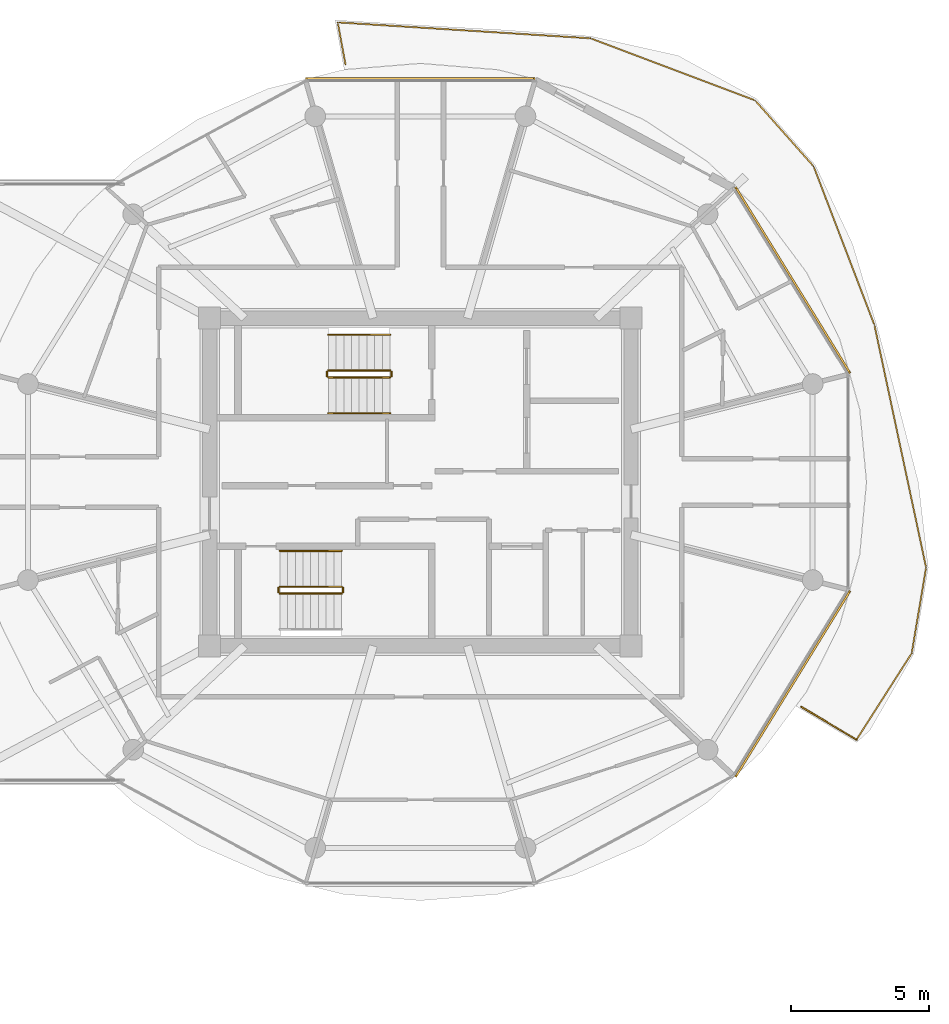
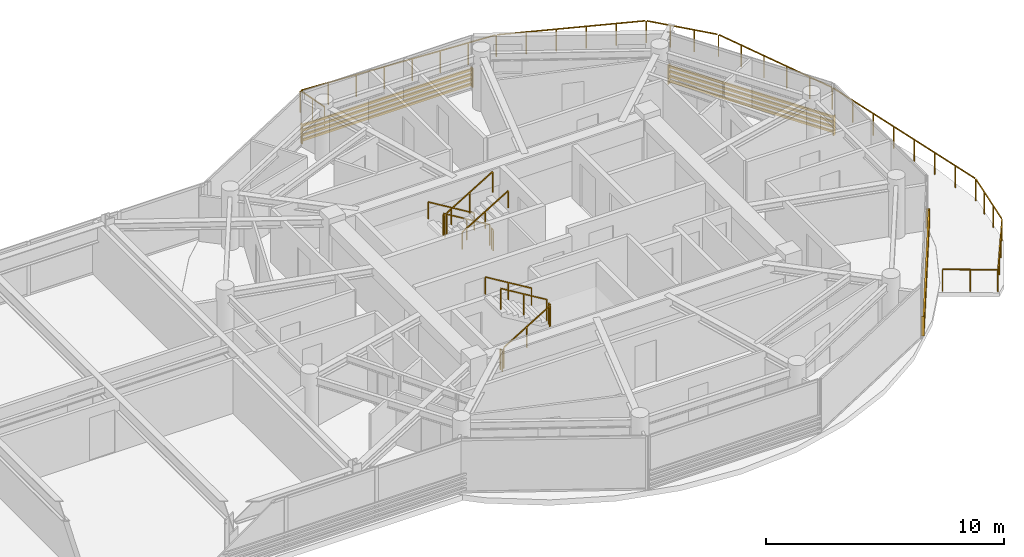
# One storey, part 23 of 23: 13 railings, 3 shading devices.
"""IFC4 building model written with IfcOpenShell, lengths in metres."""

import ifcopenshell
import ifcopenshell.guid

model = None  # the IFC model being written
_history = None  # IfcOwnerHistory: only IFC2X3 demands one
_inside = {}  # id of a spatial element -> (the spatial element, [elements in it])
_under = {}  # id of a project, library or spatial element -> (it, [spatial elements below it])
_declared = {}  # id of a project -> (the project, [libraries it declares])
_typed = {}  # id of a type object -> (the type object, [elements of that type])
_made_of = {}  # id of a material, layer set ... -> (it, [elements and type objects made of it])


def new_model(schema):
    """Start an empty IFC model of exactly this schema.

    Asked for "IFC4X3", IfcOpenShell would pick the latest addendum, in which some entities
    have other attributes; the version numbers below select the first issue.
    IFC2X3 requires an IfcOwnerHistory on every rooted entity: one is made here for all.
    """
    global model, _history
    if schema == "IFC4X3":
        model = ifcopenshell.file(schema_version=(4, 3, 0, 0))
    else:
        model = ifcopenshell.file(schema=schema)
    _inside.clear()
    _under.clear()
    _declared.clear()
    _typed.clear()
    _made_of.clear()
    _history = None
    if model.schema == "IFC2X3":
        org = make("IfcOrganization", Name="unknown")
        user = make(
            "IfcPersonAndOrganization",
            ThePerson=make("IfcPerson", FamilyName="unknown"),
            TheOrganization=org,
        )
        app = make(
            "IfcApplication",
            ApplicationDeveloper=org,
            Version="unknown",
            ApplicationFullName="unknown",
            ApplicationIdentifier="unknown",
        )
        _history = make(
            "IfcOwnerHistory",
            OwningUser=user,
            OwningApplication=app,
            ChangeAction="ADDED",
            CreationDate=0,
        )
    return model


def make(cls, **values):
    """One entity of the class cls with the attributes given. An attribute that is None is left unset."""
    return model.create_entity(
        cls, **{name: value for name, value in values.items() if value is not None}
    )


def rooted(cls, **values):
    """An entity with a GlobalId (a new one), such as an element, a storey or a relation."""
    return make(cls, GlobalId=ifcopenshell.guid.new(), OwnerHistory=_history, **values)


def si_unit(unit_type, name, prefix=None):
    """IfcSIUnit, for example si_unit("LENGTHUNIT", "METRE", prefix="MILLI")."""
    return make("IfcSIUnit", UnitType=unit_type, Prefix=prefix, Name=name)


def assignment(units):
    """IfcUnitAssignment: the units of a project."""
    return None if units is None else make("IfcUnitAssignment", Units=units)


def point(xyz):
    """IfcCartesianPoint."""
    return None if xyz is None else make("IfcCartesianPoint", Coordinates=xyz)


def direction(xyz):
    """IfcDirection."""
    return None if xyz is None else make("IfcDirection", DirectionRatios=xyz)


def frame(location, z_axis=None, x_axis=None):
    """IfcAxis2Placement3D, a coordinate frame: its origin and axes. An axis left out is left unset."""
    return make(
        "IfcAxis2Placement3D",
        Location=point(location),
        Axis=direction(z_axis),
        RefDirection=direction(x_axis),
    )


def frame_2d(location, x_axis=None):
    """IfcAxis2Placement2D, a coordinate frame in the plane: its origin and x axis."""
    return make(
        "IfcAxis2Placement2D", Location=point(location), RefDirection=direction(x_axis)
    )


def origin():
    """The frame at (0, 0, 0) with its axes left unset."""
    return frame((0.0, 0.0, 0.0))


def origin_2d():
    """The frame at (0, 0) in the plane with its x axis left unset."""
    return frame_2d((0.0, 0.0))


def place(relative_to, where):
    """IfcLocalPlacement: puts the frame where relative to a parent placement (None: the world)."""
    return make(
        "IfcLocalPlacement", PlacementRelTo=relative_to, RelativePlacement=where
    )


def context(
    kind, dimensions, precision=None, world=None, true_north=None, identifier=None
):
    """IfcGeometricRepresentationContext, for example the 3D "Model" context."""
    return make(
        "IfcGeometricRepresentationContext",
        ContextIdentifier=identifier,
        ContextType=kind,
        CoordinateSpaceDimension=dimensions,
        Precision=precision,
        WorldCoordinateSystem=world,
        TrueNorth=true_north,
    )


def subcontext(parent, identifier, kind, view, scale=None):
    """IfcGeometricRepresentationSubContext, for example "Body" below "Model"."""
    return make(
        "IfcGeometricRepresentationSubContext",
        ContextIdentifier=identifier,
        ContextType=kind,
        ParentContext=parent,
        TargetScale=scale,
        TargetView=view,
    )


def project(units=None, contexts=None):
    """IfcProject with its units and contexts."""
    return rooted(
        "IfcProject",
        Name="project",
        RepresentationContexts=contexts,
        UnitsInContext=assignment(units),
    )


def spatial(cls, under=None, at=None, **own):
    """A site, building, storey or space (cls), placed at a placement, below another one or the project."""
    s = rooted(cls, ObjectPlacement=at, **own)
    if under is not None:
        _under.setdefault(under.id(), (under, []))[1].append(s)
    return s


def profile(cls, at=None, kind="AREA", **sizes):
    """A parametric profile (cls). Its sizes go by their IFC names, for example OverallWidth=200.0."""
    return make(cls, ProfileType=kind, Position=at, **sizes)


def rectangle(**sizes):
    """IfcRectangleProfileDef."""
    return profile("IfcRectangleProfileDef", **sizes)


def extrude(swept, where, along, depth):
    """IfcExtrudedAreaSolid: the profile swept, set in the frame where, extruded along a direction by depth."""
    return make(
        "IfcExtrudedAreaSolid",
        SweptArea=swept,
        Position=where,
        ExtrudedDirection=direction(along),
        Depth=depth,
    )


def shape(context_of_items, identifier, shape_type, items):
    """IfcShapeRepresentation: the items that make up one representation, for example the "Body"."""
    return make(
        "IfcShapeRepresentation",
        ContextOfItems=context_of_items,
        RepresentationIdentifier=identifier,
        RepresentationType=shape_type,
        Items=items,
    )


def source(mapping_origin, context_of_items, identifier, shape_type, items):
    """IfcRepresentationMap: a shape defined once, which mapped items show again and again."""
    return make(
        "IfcRepresentationMap",
        MappingOrigin=mapping_origin,
        MappedRepresentation=shape(context_of_items, identifier, shape_type, items),
    )


def transform(
    local_origin,
    x_axis=None,
    y_axis=None,
    z_axis=None,
    scale=None,
    scale2=None,
    scale3=None,
    uniform=True,
):
    """IfcCartesianTransformationOperator3D, or its non-uniform kind. x_axis, y_axis, z_axis: its Axis1, 2, 3."""
    if uniform:
        return make(
            "IfcCartesianTransformationOperator3D",
            Axis1=direction(x_axis),
            Axis2=direction(y_axis),
            LocalOrigin=point(local_origin),
            Scale=scale,
            Axis3=direction(z_axis),
        )
    return make(
        "IfcCartesianTransformationOperator3DnonUniform",
        Axis1=direction(x_axis),
        Axis2=direction(y_axis),
        LocalOrigin=point(local_origin),
        Scale=scale,
        Axis3=direction(z_axis),
        Scale2=scale2,
        Scale3=scale3,
    )


def mapped(mapping_source, mapping_target):
    """IfcMappedItem: shows the shape of a source again, moved by a transform."""
    return make(
        "IfcMappedItem", MappingSource=mapping_source, MappingTarget=mapping_target
    )


def material(Name=None, Category=None):
    """IfcMaterial."""
    return make("IfcMaterial", Name=Name, Category=Category)


def made_of(thing, what):
    """Note that an element or type object is made of a material, layer set ...; save() writes the relation."""
    if what is not None:
        _made_of.setdefault(what.id(), (what, []))[1].append(thing)
    return thing


def type_object(cls, material=None, **own):
    """A type object (cls), such as IfcWallType, which elements share."""
    return made_of(rooted(cls, **own), material)


def type_shapes(of_type, sources):
    """Give a type object the sources (RepresentationMaps) that its elements show as mapped items."""
    of_type.RepresentationMaps = sources


def element(
    cls,
    number,
    at=None,
    inside=None,
    cuts=None,
    type_object=None,
    material=None,
    context=None,
    identifier="Body",
    shape_type=None,
    held_by="IfcProductDefinitionShape",
    body=None,
    shapes=None,
    **own,
):
    """One element of the class cls, such as IfcWall. Its Tag is "e" and its number.

    at: its placement. inside: the storey or other place that contains it. cuts: it is an
    opening in that element (IfcRelVoidsElement). A single representation is given by context,
    identifier, shape_type and body (its items); several are given by shapes. held_by: the class
    of the entity that holds the representations. save() writes the other relations.
    """
    e = rooted(cls, Tag="e%d" % number, ObjectPlacement=at, **own)
    if body is not None:
        shapes = [shape(context, identifier, shape_type, body)]
    if shapes is not None:
        e.Representation = make(held_by, Representations=shapes)
    if inside is not None:
        _inside.setdefault(inside.id(), (inside, []))[1].append(e)
    if cuts is not None:
        rooted(
            "IfcRelVoidsElement", RelatingBuildingElement=cuts, RelatedOpeningElement=e
        )
    if type_object is not None:
        _typed.setdefault(type_object.id(), (type_object, []))[1].append(e)
    return made_of(e, material)


def aggregate(whole, parts):
    """IfcRelAggregates: a whole, such as a stair, and the parts it consists of."""
    return rooted("IfcRelAggregates", RelatingObject=whole, RelatedObjects=parts)


def save(model, path):
    """Write the relations noted so far, then the file.

    IfcRelAggregates (storeys below a building ...), IfcRelContainedInSpatialStructure (elements
    in a storey), IfcRelDefinesByType, IfcRelAssociatesMaterial and IfcRelDeclares: one each for
    every whole, place, type object, material and project.
    """
    for whole, parts in _under.values():
        aggregate(whole, parts)
    for where, things in _inside.values():
        rooted(
            "IfcRelContainedInSpatialStructure",
            RelatedElements=things,
            RelatingStructure=where,
        )
    for kind, things in _typed.values():
        rooted("IfcRelDefinesByType", RelatedObjects=things, RelatingType=kind)
    for what, things in _made_of.values():
        rooted("IfcRelAssociatesMaterial", RelatedObjects=things, RelatingMaterial=what)
    for by, libraries in _declared.values():
        rooted("IfcRelDeclares", RelatingContext=by, RelatedDefinitions=libraries)
    model.write(path)


model = new_model("IFC4")

# Units and contexts
model_context = context("Model", 3, precision=1e-05, world=origin(), true_north=direction((0.0, 1.0)))
body_context = subcontext(model_context, "Body", "Model", "MODEL_VIEW")
ifc_project = project(units=[si_unit("LENGTHUNIT", "METRE"), si_unit("AREAUNIT", "SQUARE_METRE"), si_unit("VOLUMEUNIT", "CUBIC_METRE"), si_unit("PLANEANGLEUNIT", "RADIAN"), si_unit("MASSUNIT", "GRAM", prefix="KILO")], contexts=[model_context])

# Site, building, storey
site_placement = place(None, origin())
site = spatial("IfcSite", under=ifc_project, at=site_placement, CompositionType="ELEMENT")
building_placement = place(site_placement, origin())
building = spatial("IfcBuilding", under=site, at=building_placement, Name="Norrkilde Senior Care Towers", CompositionType="ELEMENT")
storey_placement = place(building_placement, frame((0.0, 0.0, 220.0)))
storey = spatial("IfcBuildingStorey", under=building, at=storey_placement, Name="L68", CompositionType="ELEMENT", Elevation=220.0)

# Railings
ifc_material_1 = material(Name="Anodised Aluminium", Category="aluminium")
railing_type_1 = type_object("IfcRailingType", Name="Balcony Swirl Ribbon Guardrail 1150", PredefinedType="GUARDRAIL", material=ifc_material_1)
railing_1_placement = place(storey_placement, frame((43.83740234375, -9.357421875, 0.0)))
element("IfcRailing", 1, at=railing_1_placement, inside=storey, type_object=railing_type_1, Name="L68 Perimeter Safety Guard 01", PredefinedType="GUARDRAIL", context=body_context, shape_type="SweptSolid", body=[
    extrude(rectangle(XDim=0.048095703125, YDim=0.048095703125, at=origin_2d()), frame((0.0, 0.0, 1.1259765625), z_axis=(-0.858728186348, 0.512431363181, 0.0), x_axis=(-0.512431363181, -0.858728186348, 0.0)), (0.0, 0.0, 1.0), 2.33203125),
    extrude(rectangle(XDim=0.0419921875, YDim=0.0419921875, at=origin_2d()), origin(), (0.0, 0.0, 1.0), 1.099853515625),
    extrude(rectangle(XDim=0.0419921875, YDim=0.0419921875, at=origin_2d()), frame((-1.00146484375, 0.59765625, 0.0)), (0.0, 0.0, 1.0), 1.099853515625),
    extrude(rectangle(XDim=0.0419921875, YDim=0.0419921875, at=origin_2d()), frame((-2.002685546875, 1.195068359375, 0.0)), (0.0, 0.0, 1.0), 1.099853515625),
])
railing_2_placement = place(storey_placement, frame((25.28271484375, 15.157470703125, 0.0)))
element("IfcRailing", 2, at=railing_2_placement, inside=storey, type_object=railing_type_1, Name="L68 Perimeter Safety Guard 02", PredefinedType="GUARDRAIL", context=body_context, shape_type="SweptSolid", body=[
    extrude(rectangle(XDim=0.048095703125, YDim=0.048095703125, at=origin_2d()), frame((0.0, 0.0, 1.1259765625), z_axis=(-0.181624283452, 0.983367998086, 0.0), x_axis=(-0.983367998086, -0.181624283452, 0.0)), (0.0, 0.0, 1.0), 1.519775390625),
    extrude(rectangle(XDim=0.048095703125, YDim=0.048095703125, at=origin_2d()), frame((-0.24267578125, 1.531982421875, 1.1259765625), z_axis=(0.998015228376, -0.062973041293, 0.0), x_axis=(0.062973041293, 0.998015228376, 0.0)), (0.0, 0.0, 1.0), 9.1181640625),
    extrude(rectangle(XDim=0.048095703125, YDim=0.048095703125, at=origin_2d()), frame((8.9365234375, 0.94091796875, 1.1259765625), z_axis=(0.93563292805, -0.352974537251, 0.0), x_axis=(0.352974537251, 0.93563292805, 0.0)), (0.0, 0.0, 1.0), 6.304443359375),
    extrude(rectangle(XDim=0.048095703125, YDim=0.048095703125, at=origin_2d()), frame((14.900390625, -1.329345703125, 1.1259765625), z_axis=(0.663360839662, -0.748299670188, 0.0), x_axis=(0.748299670188, 0.663360839662, 0.0)), (0.0, 0.0, 1.0), 3.123046875),
    extrude(rectangle(XDim=0.048095703125, YDim=0.048095703125, at=origin_2d()), frame((17.013916015625, -3.735107421875, 1.1259765625), z_axis=(0.3576876413, -0.933841288047, 0.0), x_axis=(0.933841288047, 0.3576876413, 0.0)), (0.0, 0.0, 1.0), 6.089111328125),
    extrude(rectangle(XDim=0.048095703125, YDim=0.048095703125, at=origin_2d()), frame((19.215087890625, -9.499755859375, 1.1259765625), z_axis=(0.20841570542, -0.978040333388, 0.0), x_axis=(0.978040333388, 0.20841570542, 0.0)), (0.0, 0.0, 1.0), 8.91943359375),
    extrude(rectangle(XDim=0.048095703125, YDim=0.048095703125, at=origin_2d()), frame((21.07568359375, -18.303466796875, 1.1259765625), z_axis=(-0.165427776415, -0.986221907478, 0.0), x_axis=(0.986221907478, -0.165427776415, 0.0)), (0.0, 0.0, 1.0), 3.073486328125),
    extrude(rectangle(XDim=0.048095703125, YDim=0.048095703125, at=origin_2d()), frame((20.53857421875, -21.409423828125, 1.1259765625), z_axis=(-0.538354377783, -0.842718555582, 0.0), x_axis=(0.842718555582, -0.538354377783, 0.0)), (0.0, 0.0, 1.0), 3.68505859375),
    extrude(rectangle(XDim=0.0419921875, YDim=0.0419921875, at=origin_2d()), origin(), (0.0, 0.0, 1.0), 1.099853515625),
    extrude(rectangle(XDim=0.0419921875, YDim=0.0419921875, at=origin_2d()), frame((-0.1416015625, 0.767333984375, 0.0)), (0.0, 0.0, 1.0), 1.099853515625),
    extrude(rectangle(XDim=0.0419921875, YDim=0.0419921875, at=origin_2d()), frame((-0.283447265625, 1.53466796875, 0.0)), (0.0, 0.0, 1.0), 1.099853515625),
    extrude(rectangle(XDim=0.0419921875, YDim=0.0419921875, at=origin_2d()), frame((1.0283203125, 1.451904296875, 0.0)), (0.0, 0.0, 1.0), 1.099853515625),
    extrude(rectangle(XDim=0.0419921875, YDim=0.0419921875, at=origin_2d()), frame((2.33984375, 1.369140625, 0.0)), (0.0, 0.0, 1.0), 1.099853515625),
    extrude(rectangle(XDim=0.0419921875, YDim=0.0419921875, at=origin_2d()), frame((3.651611328125, 1.286376953125, 0.0)), (0.0, 0.0, 1.0), 1.099853515625),
    extrude(rectangle(XDim=0.0419921875, YDim=0.0419921875, at=origin_2d()), frame((4.963134765625, 1.20361328125, 0.0)), (0.0, 0.0, 1.0), 1.099853515625),
    extrude(rectangle(XDim=0.0419921875, YDim=0.0419921875, at=origin_2d()), frame((6.27490234375, 1.120849609375, 0.0)), (0.0, 0.0, 1.0), 1.099853515625),
    extrude(rectangle(XDim=0.0419921875, YDim=0.0419921875, at=origin_2d()), frame((7.58642578125, 1.0380859375, 0.0)), (0.0, 0.0, 1.0), 1.099853515625),
    extrude(rectangle(XDim=0.0419921875, YDim=0.0419921875, at=origin_2d()), frame((8.898193359375, 0.955322265625, 0.0)), (0.0, 0.0, 1.0), 1.099853515625),
    extrude(rectangle(XDim=0.0419921875, YDim=0.0419921875, at=origin_2d()), frame((10.09326171875, 0.50439453125, 0.0)), (0.0, 0.0, 1.0), 1.099853515625),
    extrude(rectangle(XDim=0.0419921875, YDim=0.0419921875, at=origin_2d()), frame((11.288330078125, 0.0537109375, 0.0)), (0.0, 0.0, 1.0), 1.099853515625),
    extrude(rectangle(XDim=0.0419921875, YDim=0.0419921875, at=origin_2d()), frame((12.483154296875, -0.397216796875, 0.0)), (0.0, 0.0, 1.0), 1.099853515625),
    extrude(rectangle(XDim=0.0419921875, YDim=0.0419921875, at=origin_2d()), frame((13.67822265625, -0.847900390625, 0.0)), (0.0, 0.0, 1.0), 1.099853515625),
    extrude(rectangle(XDim=0.0419921875, YDim=0.0419921875, at=origin_2d()), frame((14.873291015625, -1.298828125, 0.0)), (0.0, 0.0, 1.0), 1.099853515625),
    extrude(rectangle(XDim=0.0419921875, YDim=0.0419921875, at=origin_2d()), frame((15.58203125, -2.09814453125, 0.0)), (0.0, 0.0, 1.0), 1.099853515625),
    extrude(rectangle(XDim=0.0419921875, YDim=0.0419921875, at=origin_2d()), frame((16.29052734375, -2.897705078125, 0.0)), (0.0, 0.0, 1.0), 1.099853515625),
    extrude(rectangle(XDim=0.0419921875, YDim=0.0419921875, at=origin_2d()), frame((16.999267578125, -3.697021484375, 0.0)), (0.0, 0.0, 1.0), 1.099853515625),
    extrude(rectangle(XDim=0.0419921875, YDim=0.0419921875, at=origin_2d()), frame((17.440673828125, -4.849609375, 0.0)), (0.0, 0.0, 1.0), 1.099853515625),
    extrude(rectangle(XDim=0.0419921875, YDim=0.0419921875, at=origin_2d()), frame((17.882080078125, -6.002197265625, 0.0)), (0.0, 0.0, 1.0), 1.099853515625),
    extrude(rectangle(XDim=0.0419921875, YDim=0.0419921875, at=origin_2d()), frame((18.32373046875, -7.154541015625, 0.0)), (0.0, 0.0, 1.0), 1.099853515625),
    extrude(rectangle(XDim=0.0419921875, YDim=0.0419921875, at=origin_2d()), frame((18.76513671875, -8.30712890625, 0.0)), (0.0, 0.0, 1.0), 1.099853515625),
    extrude(rectangle(XDim=0.0419921875, YDim=0.0419921875, at=origin_2d()), frame((19.20654296875, -9.459716796875, 0.0)), (0.0, 0.0, 1.0), 1.099853515625),
    extrude(rectangle(XDim=0.0419921875, YDim=0.0419921875, at=origin_2d()), frame((19.474609375, -10.71728515625, 0.0)), (0.0, 0.0, 1.0), 1.099853515625),
    extrude(rectangle(XDim=0.0419921875, YDim=0.0419921875, at=origin_2d()), frame((19.742431640625, -11.97509765625, 0.0)), (0.0, 0.0, 1.0), 1.099853515625),
    extrude(rectangle(XDim=0.0419921875, YDim=0.0419921875, at=origin_2d()), frame((20.010498046875, -13.232666015625, 0.0)), (0.0, 0.0, 1.0), 1.099853515625),
    extrude(rectangle(XDim=0.0419921875, YDim=0.0419921875, at=origin_2d()), frame((20.278564453125, -14.490234375, 0.0)), (0.0, 0.0, 1.0), 1.099853515625),
    extrude(rectangle(XDim=0.0419921875, YDim=0.0419921875, at=origin_2d()), frame((20.546630859375, -15.747802734375, 0.0)), (0.0, 0.0, 1.0), 1.099853515625),
    extrude(rectangle(XDim=0.0419921875, YDim=0.0419921875, at=origin_2d()), frame((20.814453125, -17.005615234375, 0.0)), (0.0, 0.0, 1.0), 1.099853515625),
    extrude(rectangle(XDim=0.0419921875, YDim=0.0419921875, at=origin_2d()), frame((21.08251953125, -18.26318359375, 0.0)), (0.0, 0.0, 1.0), 1.099853515625),
    extrude(rectangle(XDim=0.0419921875, YDim=0.0419921875, at=origin_2d()), frame((20.908447265625, -19.300537109375, 0.0)), (0.0, 0.0, 1.0), 1.099853515625),
    extrude(rectangle(XDim=0.0419921875, YDim=0.0419921875, at=origin_2d()), frame((20.734619140625, -20.337646484375, 0.0)), (0.0, 0.0, 1.0), 1.099853515625),
    extrude(rectangle(XDim=0.0419921875, YDim=0.0419921875, at=origin_2d()), frame((20.560546875, -21.375, 0.0)), (0.0, 0.0, 1.0), 1.099853515625),
    extrude(rectangle(XDim=0.0419921875, YDim=0.0419921875, at=origin_2d()), frame((19.891845703125, -22.421630859375, 0.0)), (0.0, 0.0, 1.0), 1.099853515625),
    extrude(rectangle(XDim=0.0419921875, YDim=0.0419921875, at=origin_2d()), frame((19.223388671875, -23.46826171875, 0.0)), (0.0, 0.0, 1.0), 1.099853515625),
    extrude(rectangle(XDim=0.0419921875, YDim=0.0419921875, at=origin_2d()), frame((18.5546875, -24.514892578125, 0.0)), (0.0, 0.0, 1.0), 1.099853515625),
])
ifc_material_2 = material(Name="Stainless Steel", Category="steel")
railing_type_2 = type_object("IfcRailingType", Name="Stair and Terrace Guardrail 1100", PredefinedType="GUARDRAIL", material=ifc_material_2)
railing_3_placement = place(storey_placement, frame((26.89990234375, 4.050048828125, 0.16943359375)))
element("IfcRailing", 3, at=railing_3_placement, inside=storey, type_object=railing_type_2, Name="L68 ST-E1 stair guard 1", PredefinedType="GUARDRAIL", context=body_context, shape_type="SweptSolid", body=[
    extrude(rectangle(XDim=0.048095703125, YDim=0.048095703125, at=origin_2d()), frame((0.0, 0.0, 1.076171875), z_axis=(-0.855553338991, 0.0, 0.51771467445), x_axis=(0.0, -1.0, 0.0)), (0.0, 0.0, 1.0), 2.6181640625),
    extrude(rectangle(XDim=0.0419921875, YDim=0.0419921875, at=origin_2d()), origin(), (0.0, 0.0, 1.0), 1.050048828125),
    extrude(rectangle(XDim=0.0419921875, YDim=0.0419921875, at=origin_2d()), frame((-1.1201171875, 0.0, 0.677734375)), (0.0, 0.0, 1.0), 1.050048828125),
    extrude(rectangle(XDim=0.0419921875, YDim=0.0419921875, at=origin_2d()), frame((-2.239990234375, 0.0, 1.35546875)), (0.0, 0.0, 1.0), 1.050048828125),
])
railing_4_placement = place(storey_placement, frame((24.610107421875, 4.0, 1.52490234375)))
element("IfcRailing", 4, at=railing_4_placement, inside=storey, type_object=railing_type_2, Name="L68 ST-E1 stair guard 2", PredefinedType="GUARDRAIL", context=body_context, shape_type="SweptSolid", body=[
    extrude(rectangle(XDim=0.048095703125, YDim=0.048095703125, at=origin_2d()), frame((0.0, 0.0, 1.076171875), z_axis=(0.0, -1.0, 0.0), x_axis=(1.0, 0.0, 0.0)), (0.0, 0.0, 1.0), 0.14990234375),
    extrude(rectangle(XDim=0.0419921875, YDim=0.0419921875, at=origin_2d()), origin(), (0.0, 0.0, 1.0), 1.050048828125),
    extrude(rectangle(XDim=0.0419921875, YDim=0.0419921875, at=origin_2d()), frame((0.0, -0.14990234375, 0.0)), (0.0, 0.0, 1.0), 1.050048828125),
])
railing_5_placement = place(storey_placement, frame((24.659912109375, 3.800048828125, 1.6943359375)))
element("IfcRailing", 5, at=railing_5_placement, inside=storey, type_object=railing_type_2, Name="L68 ST-E1 stair guard 3", PredefinedType="GUARDRAIL", context=body_context, shape_type="SweptSolid", body=[
    extrude(rectangle(XDim=0.048095703125, YDim=0.048095703125, at=origin_2d()), frame((0.0, 0.0, 1.076171875), z_axis=(0.855512035549, 0.0, 0.517782924622), x_axis=(0.0, 1.0, 0.0)), (0.0, 0.0, 1.0), 2.618408203125),
    extrude(rectangle(XDim=0.0419921875, YDim=0.0419921875, at=origin_2d()), origin(), (0.0, 0.0, 1.0), 1.050048828125),
    extrude(rectangle(XDim=0.0419921875, YDim=0.0419921875, at=origin_2d()), frame((1.1201171875, 0.0, 0.677734375)), (0.0, 0.0, 1.0), 1.050048828125),
    extrude(rectangle(XDim=0.0419921875, YDim=0.0419921875, at=origin_2d()), frame((2.239990234375, 0.0, 1.355712890625)), (0.0, 0.0, 1.0), 1.050048828125),
])
railing_6_placement = place(storey_placement, frame((26.949951171875, 4.0, 0.0)))
element("IfcRailing", 6, at=railing_6_placement, inside=storey, type_object=railing_type_2, Name="L68 ST-E1 stair guard 4", PredefinedType="GUARDRAIL", context=body_context, shape_type="SweptSolid", body=[
    extrude(rectangle(XDim=0.048095703125, YDim=0.048095703125, at=origin_2d()), frame((0.0, 0.0, 1.076171875), z_axis=(0.0, -1.0, 0.0), x_axis=(1.0, 0.0, 0.0)), (0.0, 0.0, 1.0), 0.14990234375),
    extrude(rectangle(XDim=0.0419921875, YDim=0.0419921875, at=origin_2d()), origin(), (0.0, 0.0, 1.0), 1.050048828125),
    extrude(rectangle(XDim=0.0419921875, YDim=0.0419921875, at=origin_2d()), frame((0.0, -0.14990234375, 0.0)), (0.0, 0.0, 1.0), 1.050048828125),
])
railing_7_placement = place(storey_placement, frame((22.89990234375, -4.050048828125, 0.16943359375)))
element("IfcRailing", 7, at=railing_7_placement, inside=storey, type_object=railing_type_2, Name="L68 ST-E2 stair guard 1", PredefinedType="GUARDRAIL", context=body_context, shape_type="SweptSolid", body=[
    extrude(rectangle(XDim=0.048095703125, YDim=0.048095703125, at=origin_2d()), frame((0.0, 0.0, 1.076171875), z_axis=(0.855553338991, 0.0, 0.51771467445), x_axis=(0.0, 1.0, 0.0)), (0.0, 0.0, 1.0), 2.6181640625),
    extrude(rectangle(XDim=0.0419921875, YDim=0.0419921875, at=origin_2d()), origin(), (0.0, 0.0, 1.0), 1.050048828125),
    extrude(rectangle(XDim=0.0419921875, YDim=0.0419921875, at=origin_2d()), frame((1.1201171875, 0.0, 0.677734375)), (0.0, 0.0, 1.0), 1.050048828125),
    extrude(rectangle(XDim=0.0419921875, YDim=0.0419921875, at=origin_2d()), frame((2.239990234375, 0.0, 1.35546875)), (0.0, 0.0, 1.0), 1.050048828125),
])
railing_8_placement = place(storey_placement, frame((25.18994140625, -4.0, 1.52490234375)))
element("IfcRailing", 8, at=railing_8_placement, inside=storey, type_object=railing_type_2, Name="L68 ST-E2 stair guard 2", PredefinedType="GUARDRAIL", context=body_context, shape_type="SweptSolid", body=[
    extrude(rectangle(XDim=0.048095703125, YDim=0.048095703125, at=origin_2d()), frame((0.0, 0.0, 1.076171875), z_axis=(0.0, 1.0, 0.0), x_axis=(-1.0, 0.0, 0.0)), (0.0, 0.0, 1.0), 0.14990234375),
    extrude(rectangle(XDim=0.0419921875, YDim=0.0419921875, at=origin_2d()), origin(), (0.0, 0.0, 1.0), 1.050048828125),
    extrude(rectangle(XDim=0.0419921875, YDim=0.0419921875, at=origin_2d()), frame((0.0, 0.14990234375, 0.0)), (0.0, 0.0, 1.0), 1.050048828125),
])
railing_9_placement = place(storey_placement, frame((25.139892578125, -3.800048828125, 1.6943359375)))
element("IfcRailing", 9, at=railing_9_placement, inside=storey, type_object=railing_type_2, Name="L68 ST-E2 stair guard 3", PredefinedType="GUARDRAIL", context=body_context, shape_type="SweptSolid", body=[
    extrude(rectangle(XDim=0.048095703125, YDim=0.048095703125, at=origin_2d()), frame((0.0, 0.0, 1.076171875), z_axis=(-0.855512035549, 0.0, 0.517782924622), x_axis=(0.0, -1.0, 0.0)), (0.0, 0.0, 1.0), 2.618408203125),
    extrude(rectangle(XDim=0.0419921875, YDim=0.0419921875, at=origin_2d()), origin(), (0.0, 0.0, 1.0), 1.050048828125),
    extrude(rectangle(XDim=0.0419921875, YDim=0.0419921875, at=origin_2d()), frame((-1.1201171875, 0.0, 0.677734375)), (0.0, 0.0, 1.0), 1.050048828125),
    extrude(rectangle(XDim=0.0419921875, YDim=0.0419921875, at=origin_2d()), frame((-2.239990234375, 0.0, 1.355712890625)), (0.0, 0.0, 1.0), 1.050048828125),
])
railing_10_placement = place(storey_placement, frame((22.85009765625, -4.0, 0.0)))
element("IfcRailing", 10, at=railing_10_placement, inside=storey, type_object=railing_type_2, Name="L68 ST-E2 stair guard 4", PredefinedType="GUARDRAIL", context=body_context, shape_type="SweptSolid", body=[
    extrude(rectangle(XDim=0.048095703125, YDim=0.048095703125, at=origin_2d()), frame((0.0, 0.0, 1.076171875), z_axis=(0.0, 1.0, 0.0), x_axis=(-1.0, 0.0, 0.0)), (0.0, 0.0, 1.0), 0.14990234375),
    extrude(rectangle(XDim=0.0419921875, YDim=0.0419921875, at=origin_2d()), origin(), (0.0, 0.0, 1.0), 1.050048828125),
    extrude(rectangle(XDim=0.0419921875, YDim=0.0419921875, at=origin_2d()), frame((0.0, 0.14990234375, 0.0)), (0.0, 0.0, 1.0), 1.050048828125),
])
ifc_material_3 = material(Name="Nordic Ash Timber", Category="wood")
railing_type_3 = type_object("IfcRailingType", Name="Wall and Stair Handrail 900", PredefinedType="HANDRAIL", material=ifc_material_3)
railing_11_placement = place(storey_placement, frame((26.89990234375, 5.35009765625, 0.16943359375)))
element("IfcRailing", 11, at=railing_11_placement, inside=storey, type_object=railing_type_3, Name="L68 ST-E1 stair handrail 1", PredefinedType="HANDRAIL", context=body_context, shape_type="SweptSolid", body=[
    extrude(rectangle(XDim=0.048095703125, YDim=0.048095703125, at=origin_2d()), frame((0.0, 0.0, 0.8759765625), z_axis=(-0.855553338991, 0.0, 0.51771467445), x_axis=(0.0, -1.0, 0.0)), (0.0, 0.0, 1.0), 2.6181640625),
    extrude(rectangle(XDim=0.0419921875, YDim=0.0419921875, at=origin_2d()), origin(), (0.0, 0.0, 1.0), 0.849853515625),
    extrude(rectangle(XDim=0.0419921875, YDim=0.0419921875, at=origin_2d()), frame((-1.1201171875, 0.0, 0.677734375)), (0.0, 0.0, 1.0), 0.849853515625),
    extrude(rectangle(XDim=0.0419921875, YDim=0.0419921875, at=origin_2d()), frame((-2.239990234375, 0.0, 1.35546875)), (0.0, 0.0, 1.0), 0.849853515625),
])
railing_12_placement = place(storey_placement, frame((24.659912109375, 2.5, 1.6943359375)))
element("IfcRailing", 12, at=railing_12_placement, inside=storey, type_object=railing_type_3, Name="L68 ST-E1 stair handrail 2", PredefinedType="HANDRAIL", context=body_context, shape_type="SweptSolid", body=[
    extrude(rectangle(XDim=0.048095703125, YDim=0.048095703125, at=origin_2d()), frame((0.0, 0.0, 0.8759765625), z_axis=(0.855512035549, 0.0, 0.517782924622), x_axis=(0.0, 1.0, 0.0)), (0.0, 0.0, 1.0), 2.618408203125),
    extrude(rectangle(XDim=0.0419921875, YDim=0.0419921875, at=origin_2d()), origin(), (0.0, 0.0, 1.0), 0.849853515625),
    extrude(rectangle(XDim=0.0419921875, YDim=0.0419921875, at=origin_2d()), frame((1.1201171875, 0.0, 0.677734375)), (0.0, 0.0, 1.0), 0.849853515625),
    extrude(rectangle(XDim=0.0419921875, YDim=0.0419921875, at=origin_2d()), frame((2.239990234375, 0.0, 1.355712890625)), (0.0, 0.0, 1.0), 0.849853515625),
])
railing_13_placement = place(storey_placement, frame((25.139892578125, -2.5, 1.6943359375)))
element("IfcRailing", 13, at=railing_13_placement, inside=storey, type_object=railing_type_3, Name="L68 ST-E2 stair handrail 2", PredefinedType="HANDRAIL", context=body_context, shape_type="SweptSolid", body=[
    extrude(rectangle(XDim=0.048095703125, YDim=0.048095703125, at=origin_2d()), frame((0.0, 0.0, 0.8759765625), z_axis=(-0.855512035549, 0.0, 0.517782924622), x_axis=(0.0, -1.0, 0.0)), (0.0, 0.0, 1.0), 2.618408203125),
    extrude(rectangle(XDim=0.0419921875, YDim=0.0419921875, at=origin_2d()), origin(), (0.0, 0.0, 1.0), 0.849853515625),
    extrude(rectangle(XDim=0.0419921875, YDim=0.0419921875, at=origin_2d()), frame((-1.1201171875, 0.0, 0.677734375)), (0.0, 0.0, 1.0), 0.849853515625),
    extrude(rectangle(XDim=0.0419921875, YDim=0.0419921875, at=origin_2d()), frame((-2.239990234375, 0.0, 1.355712890625)), (0.0, 0.0, 1.0), 0.849853515625),
])

# Shading devices
ifc_material_4 = material(Name="Architectural Terracotta", Category="masonry")
shading_device_type = type_object("IfcShadingDeviceType", Name="Horizontal Terracotta Baguette Rack", PredefinedType="USERDEFINED", material=ifc_material_4)
shared_shape_1 = source(origin(), body_context, "Body", "SweptSolid", [
    extrude(rectangle(XDim=0.070068359375, YDim=0.110107421875, at=origin_2d()), frame((0.0, 0.090087890625, 0.125), z_axis=(1.0, 0.0, 0.0), x_axis=(0.0, 1.0, 0.0)), (0.0, 0.0, 1.0), 7.938232421875),
    extrude(rectangle(XDim=0.070068359375, YDim=0.110107421875, at=origin_2d()), frame((0.0, 0.090087890625, 0.375), z_axis=(1.0, 0.0, 0.0), x_axis=(0.0, 1.0, 0.0)), (0.0, 0.0, 1.0), 7.938232421875),
    extrude(rectangle(XDim=0.070068359375, YDim=0.110107421875, at=origin_2d()), frame((0.0, 0.090087890625, 0.625), z_axis=(1.0, 0.0, 0.0), x_axis=(0.0, 1.0, 0.0)), (0.0, 0.0, 1.0), 7.938232421875),
    extrude(rectangle(XDim=0.070068359375, YDim=0.110107421875, at=origin_2d()), frame((0.0, 0.090087890625, 0.875), z_axis=(1.0, 0.0, 0.0), x_axis=(0.0, 1.0, 0.0)), (0.0, 0.0, 1.0), 7.938232421875),
    extrude(rectangle(XDim=0.050048828125, YDim=0.1552734375, at=origin_2d()), frame((0.02490234375, 0.047607421875, 0.0)), (0.0, 0.0, 1.0), 1.0),
    extrude(rectangle(XDim=0.050048828125, YDim=0.1552734375, at=origin_2d()), frame((7.9130859375, 0.047607421875, 0.0)), (0.0, 0.0, 1.0), 1.0),
])
for number, where, z_axis, x_axis, name in (
    (14, (39.370361328125, 10.6630859375, 0.080078125), (0.0, 0.0, 1.0), (0.524250345994, -0.851576195602, 0.0), "L68 Drum E Terracotta Baguette Screen 00"),
    (15, (43.531982421875, -3.903076171875, 0.080078125), (0.0, 0.0, 1.0), (-0.524250345994, -0.851576195602, 0.0), "L68 Drum E Terracotta Baguette Screen 10"),
):
    element("IfcShadingDevice", number, at=place(storey_placement, frame(where, z_axis=z_axis, x_axis=x_axis)), inside=storey, type_object=shading_device_type, Name=name, ObjectType="BAGUETTE", PredefinedType="USERDEFINED", context=body_context, shape_type="MappedRepresentation", body=[
        mapped(shared_shape_1, transform((0.0, 0.0, 0.0), x_axis=(1.0, 0.0, 0.0), y_axis=(0.0, 1.0, 0.0), z_axis=(0.0, 0.0, 1.0), scale=1.0)),
    ])
shared_shape_2 = source(origin(), body_context, "Body", "SweptSolid", [
    extrude(rectangle(XDim=0.070068359375, YDim=0.110107421875, at=origin_2d()), frame((0.0, 0.090087890625, 0.125), z_axis=(1.0, 0.0, 0.0), x_axis=(0.0, 1.0, 0.0)), (0.0, 0.0, 1.0), 8.32373046875),
    extrude(rectangle(XDim=0.070068359375, YDim=0.110107421875, at=origin_2d()), frame((0.0, 0.090087890625, 0.375), z_axis=(1.0, 0.0, 0.0), x_axis=(0.0, 1.0, 0.0)), (0.0, 0.0, 1.0), 8.32373046875),
    extrude(rectangle(XDim=0.070068359375, YDim=0.110107421875, at=origin_2d()), frame((0.0, 0.090087890625, 0.625), z_axis=(1.0, 0.0, 0.0), x_axis=(0.0, 1.0, 0.0)), (0.0, 0.0, 1.0), 8.32373046875),
    extrude(rectangle(XDim=0.070068359375, YDim=0.110107421875, at=origin_2d()), frame((0.0, 0.090087890625, 0.875), z_axis=(1.0, 0.0, 0.0), x_axis=(0.0, 1.0, 0.0)), (0.0, 0.0, 1.0), 8.32373046875),
    extrude(rectangle(XDim=0.050048828125, YDim=0.1552734375, at=origin_2d()), frame((0.02490234375, 0.047607421875, 0.0)), (0.0, 0.0, 1.0), 1.0),
    extrude(rectangle(XDim=0.050048828125, YDim=0.1552734375, at=origin_2d()), frame((8.298828125, 0.047607421875, 0.0)), (0.0, 0.0, 1.0), 1.0),
])
type_shapes(shading_device_type, [shared_shape_1, shared_shape_2])
shading_device_placement = place(storey_placement, frame((23.838134765625, 14.566162109375, 0.080078125), z_axis=(0.0, 0.0, 1.0), x_axis=(1.0, 0.0, 0.0)))
element("IfcShadingDevice", 16, at=shading_device_placement, inside=storey, type_object=shading_device_type, Name="L68 Drum E Terracotta Baguette Screen 02", ObjectType="BAGUETTE", PredefinedType="USERDEFINED", context=body_context, shape_type="MappedRepresentation", body=[
    mapped(shared_shape_2, transform((0.0, 0.0, 0.0), x_axis=(1.0, 0.0, 0.0), y_axis=(0.0, 1.0, 0.0), z_axis=(0.0, 0.0, 1.0), scale=1.0)),
])

save(model, "model.ifc")
